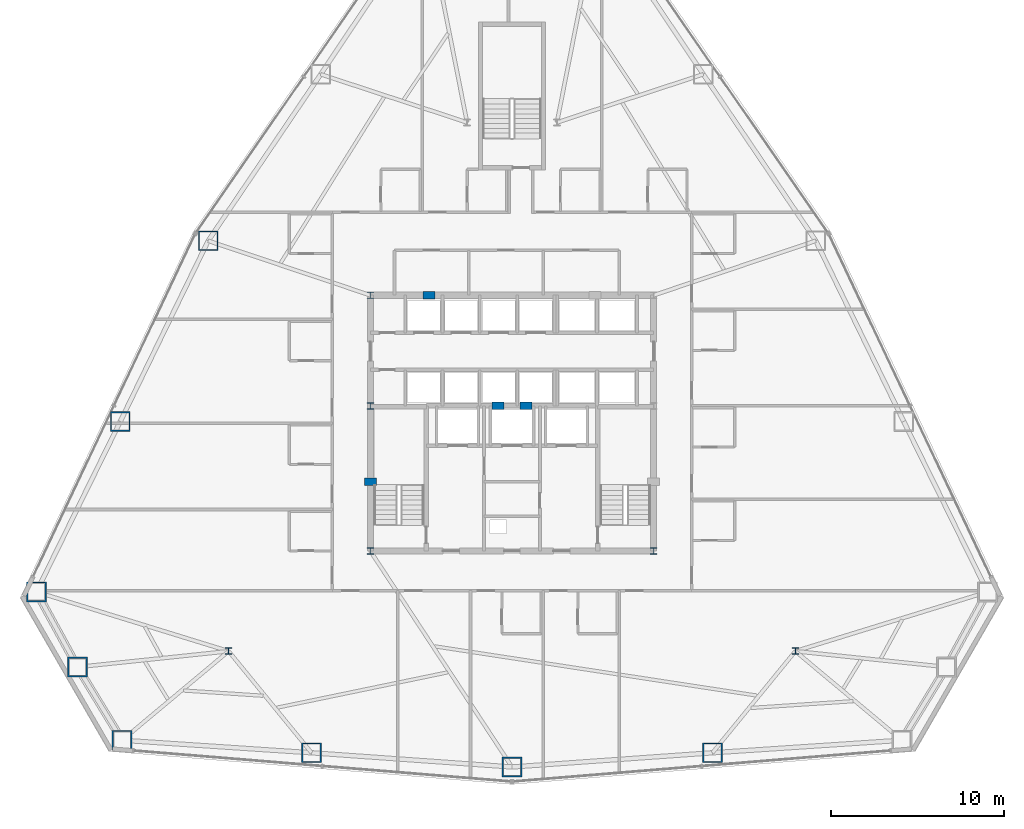
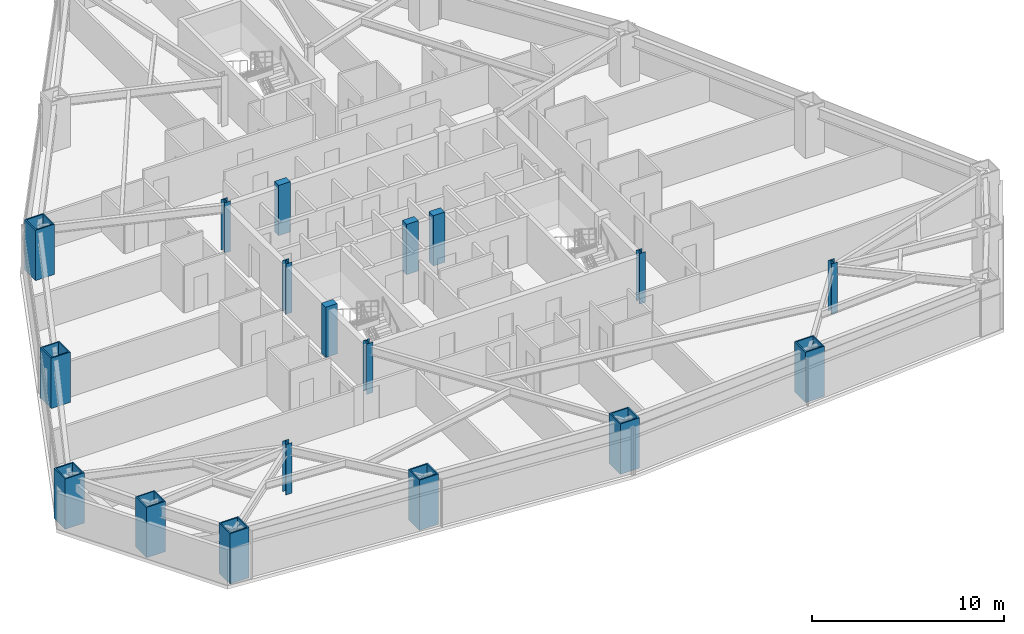
# One storey, part 1 of 13: 18 columns.
"""IFC4 building model written with IfcOpenShell, lengths in metres."""

from ifc_helpers import new_model, si_unit, direction, frame, origin, origin_2d, place, context, subcontext, project, spatial, rectangle, hollow_rectangle, i_section, extrude, material, material_profile, profile_set, type_object, element, save


model = new_model("IFC4")

# Units and contexts
model_context = context("Model", 3, precision=1e-05, world=origin(), true_north=direction((0.0, 1.0)))
body_context = subcontext(model_context, "Body", "Model", "MODEL_VIEW")
ifc_project = project(units=[si_unit("LENGTHUNIT", "METRE"), si_unit("AREAUNIT", "SQUARE_METRE"), si_unit("VOLUMEUNIT", "CUBIC_METRE"), si_unit("PLANEANGLEUNIT", "RADIAN"), si_unit("MASSUNIT", "GRAM", prefix="KILO")], contexts=[model_context])

# Site, building, storey
site_placement = place(None, origin())
site = spatial("IfcSite", under=ifc_project, at=site_placement, CompositionType="ELEMENT")
building_placement = place(site_placement, origin())
building = spatial("IfcBuilding", under=site, at=building_placement, Name="Varakhsha Concourse Tower", CompositionType="ELEMENT")
storey_placement = place(building_placement, frame((0.0, 0.0, 49.60009765625)))
storey = spatial("IfcBuildingStorey", under=building, at=storey_placement, Name="L13", CompositionType="ELEMENT", Elevation=49.60009765625)

# Columns
ifc_material_1 = material(Name="Structural Steel ASTM A992 Grade 50", Category="steel")
ifc_material_profile_1 = material_profile(ifc_material_1, i_section(OverallWidth=0.3740234375, OverallDepth=0.3720703125, WebThickness=0.01611328125, FlangeThickness=0.02587890625, at=origin_2d()), Name="W14X132")
ifc_profile_set_1 = profile_set([ifc_material_profile_1], Name="Structural Steel ASTM A992 Grade 50")
column_type_1 = type_object("IfcColumnType", Name="CL-CORE-W14X132", PredefinedType="COLUMN", material=ifc_profile_set_1)
for number, where, z_axis, x_axis, name in (
    (1, (31.800048828125, 16.39990234375, 0.0), (0.0, 0.0, 1.0), (1.0, 0.0, 0.0), "L13 Core Column CC-SW"),
    (2, (48.199951171875, 16.39990234375, 0.0), (0.0, 0.0, 1.0), (1.0, 0.0, 0.0), "L13 Core Column CC-SE"),
    (3, (31.800048828125, 24.800048828125, 0.0), (0.0, 0.0, 1.0), (1.0, 0.0, 0.0), "L13 Core Column CC-MW"),
    (4, (31.800048828125, 31.199951171875, 0.0), (0.0, 0.0, 1.0), (1.0, 0.0, 0.0), "L13 Core Column CC-NW"),
    (5, (23.60009765625, 10.60009765625, 0.0), (0.0, 0.0, 1.0), (1.0, 0.0, 0.0), "L13 Core Column SS-W"),
    (6, (56.39990234375, 10.60009765625, 0.0), (0.0, 0.0, 1.0), (1.0, 0.0, 0.0), "L13 Core Column SS-E"),
):
    element("IfcColumn", number, at=place(storey_placement, frame(where, z_axis=z_axis, x_axis=x_axis)), inside=storey, type_object=column_type_1, Name=name, PredefinedType="COLUMN", context=body_context, shape_type="SweptSolid", body=[
        extrude(i_section(OverallWidth=0.3740234375, OverallDepth=0.3720703125, WebThickness=0.01611328125, FlangeThickness=0.02587890625, at=origin_2d()), origin(), (0.0, 0.0, 1.0), 3.199951171875),
    ])
ifc_material_2 = material(Name="Concrete fc 65 MPa", Category="concrete")
ifc_material_profile_2 = material_profile(ifc_material_2, rectangle(XDim=0.699951171875, YDim=0.449951171875, at=origin_2d()), Name="RC 700x450")
ifc_profile_set_2 = profile_set([ifc_material_profile_2], Name="Concrete fc 65 MPa")
column_type_2 = type_object("IfcColumnType", Name="CL-PIL-700X450", PredefinedType="PILASTER", material=ifc_profile_set_2)
for number, where, z_axis, x_axis, name in (
    (7, (31.800048828125, 20.39990234375, 0.0), (0.0, 0.0, 1.0), (1.0, 0.0, 0.0), "L13 Core Boundary Pilaster PIL-W1"),
    (8, (35.199951171875, 31.199951171875, 0.0), (0.0, 0.0, 1.0), (1.0, 0.0, 0.0), "L13 Core Boundary Pilaster PIL-N1"),
    (9, (39.199951171875, 24.800048828125, 0.0), (0.0, 0.0, 1.0), (1.0, 0.0, 0.0), "L13 Core Boundary Pilaster PIL-M1"),
    (10, (40.800048828125, 24.800048828125, 0.0), (0.0, 0.0, 1.0), (1.0, 0.0, 0.0), "L13 Core Boundary Pilaster PIL-M2"),
):
    element("IfcColumn", number, at=place(storey_placement, frame(where, z_axis=z_axis, x_axis=x_axis)), inside=storey, type_object=column_type_2, Name=name, PredefinedType="PILASTER", context=body_context, shape_type="SweptSolid", body=[
        extrude(rectangle(XDim=0.699951171875, YDim=0.449951171875, at=origin_2d()), origin(), (0.0, 0.0, 1.0), 3.199951171875),
    ])
ifc_material_3 = material(Name="Structural Steel ASTM A572 Grade 50", Category="steel")
ifc_material_profile_3 = material_profile(ifc_material_3, hollow_rectangle(XDim=1.14990234375, YDim=1.14990234375, WallThickness=0.074951171875, at=origin_2d()), Name="BOX 1150x1150x75")
ifc_profile_set_3 = profile_set([ifc_material_profile_3], Name="Structural Steel ASTM A572 Grade 50")
column_type_3 = type_object("IfcColumnType", Name="CL-TUBE-1150", PredefinedType="COLUMN", material=ifc_profile_set_3)
for number, where, z_axis, x_axis, name in (
    (11, (22.4189453125, 34.350341796875, 0.0), (0.0, 0.0, 1.0), (1.0, 0.0, 0.0), "L13 Framed-Tube Column TC05"),
    (12, (17.330078125, 23.893310546875, 0.0), (0.0, 0.0, 1.0), (1.0, 0.0, 0.0), "L13 Framed-Tube Column TC06"),
    (13, (12.47607421875, 14.033447265625, 0.0), (0.0, 0.0, 1.0), (1.0, 0.0, 0.0), "L13 Framed-Tube Column TC07"),
    (14, (14.853271484375, 9.681396484375, 0.0), (0.0, 0.0, 1.0), (1.0, 0.0, 0.0), "L13 Framed-Tube Column TC08"),
    (15, (17.43359375, 5.44677734375, 0.0), (0.0, 0.0, 1.0), (1.0, 0.0, 0.0), "L13 Framed-Tube Column TC09"),
    (16, (28.3994140625, 4.720703125, 0.0), (0.0, 0.0, 1.0), (1.0, 0.0, 0.0), "L13 Framed-Tube Column TC10"),
    (17, (40.0, 3.899169921875, 0.0), (0.0, 0.0, 1.0), (1.0, 0.0, 0.0), "L13 Framed-Tube Column TC11"),
    (18, (51.6005859375, 4.720703125, 0.0), (0.0, 0.0, 1.0), (1.0, 0.0, 0.0), "L13 Framed-Tube Column TC12"),
):
    element("IfcColumn", number, at=place(storey_placement, frame(where, z_axis=z_axis, x_axis=x_axis)), inside=storey, type_object=column_type_3, Name=name, PredefinedType="COLUMN", context=body_context, shape_type="SweptSolid", body=[
        extrude(hollow_rectangle(XDim=1.14990234375, YDim=1.14990234375, WallThickness=0.074951171875, at=origin_2d()), origin(), (0.0, 0.0, 1.0), 3.199951171875),
    ])

save(model, "model.ifc")
